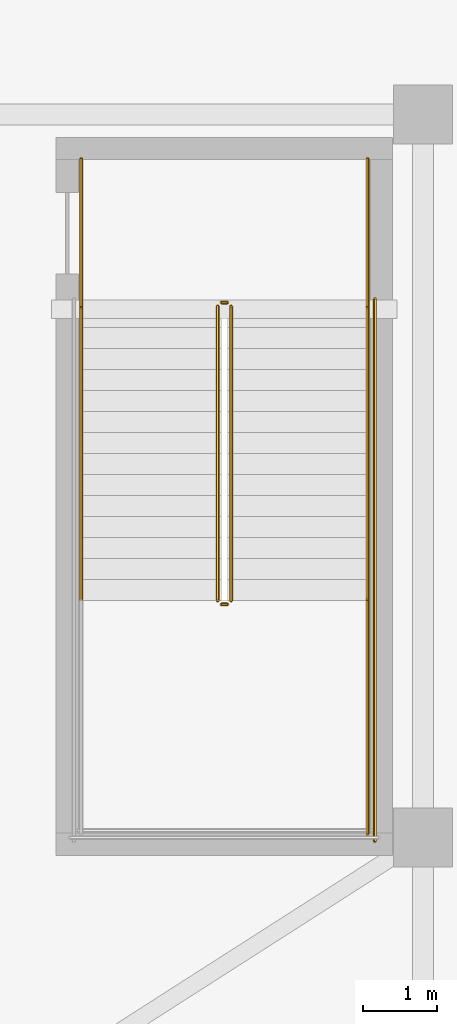
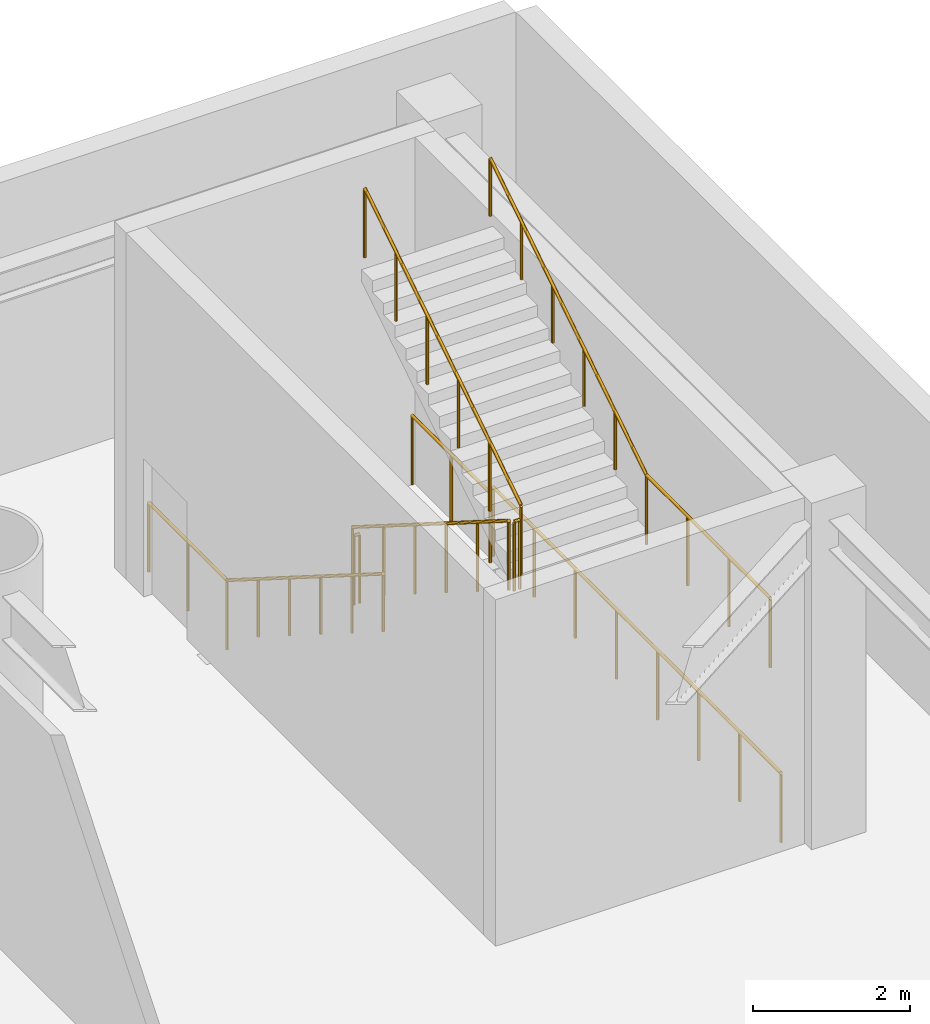
# One storey, part 16 of 16: 10 railings.
"""IFC4 building model written with IfcOpenShell, lengths in metres."""

from ifc_helpers import new_model, si_unit, direction, frame, origin, origin_2d, place, context, subcontext, project, spatial, circle, extrude, material, type_object, element, save


model = new_model("IFC4")

# Units and contexts
model_context = context("Model", 3, precision=1e-05, world=origin(), true_north=direction((0.0, 1.0)))
body_context = subcontext(model_context, "Body", "Model", "MODEL_VIEW")
ifc_project = project(units=[si_unit("LENGTHUNIT", "METRE"), si_unit("AREAUNIT", "SQUARE_METRE"), si_unit("VOLUMEUNIT", "CUBIC_METRE"), si_unit("PLANEANGLEUNIT", "RADIAN"), si_unit("MASSUNIT", "GRAM", prefix="KILO")], contexts=[model_context])

# Site, building, storey
site_placement = place(None, origin())
site = spatial("IfcSite", under=ifc_project, at=site_placement, CompositionType="ELEMENT")
building_placement = place(site_placement, origin())
building = spatial("IfcBuilding", under=site, at=building_placement, Name="Bramvorn Convention Spire", CompositionType="ELEMENT")
storey_placement = place(building_placement, frame((0.0, 0.0, 18.60009765625)))
storey = spatial("IfcBuildingStorey", under=building, at=storey_placement, Name="L03", CompositionType="ELEMENT", Elevation=18.60009765625)

# Railings
ifc_material_1 = material(Name="Painted Steel Balustrade & Guardrail", Category="steel")
railing_type_1 = type_object("IfcRailingType", Name="RL-STAIR-GUARD-1100", PredefinedType="GUARDRAIL", material=ifc_material_1)
railing_1_placement = place(storey_placement, frame((70.419921875, 46.800048828125, 0.179931640625)))
element("IfcRailing", 1, at=railing_1_placement, inside=storey, type_object=railing_type_1, Name="L03 ST5 stair guard 1", PredefinedType="GUARDRAIL", context=body_context, shape_type="SweptSolid", body=[
    extrude(circle(Radius=0.02392578125, at=origin_2d()), frame((0.0, 0.0, 1.076171875), z_axis=(0.0, -0.845486444383, 0.533996884227), x_axis=(1.0, 0.0, 0.0)), (0.0, 0.0, 1.0), 4.71923828125),
    extrude(circle(Radius=0.02099609375, at=origin_2d()), origin(), (0.0, 0.0, 1.0), 1.052001953125),
    extrude(circle(Radius=0.02099609375, at=origin_2d()), frame((0.0, -0.798095703125, 0.50390625)), (0.0, 0.0, 1.0), 1.052001953125),
    extrude(circle(Radius=0.02099609375, at=origin_2d()), frame((0.0, -1.595947265625, 1.008056640625)), (0.0, 0.0, 1.0), 1.052001953125),
    extrude(circle(Radius=0.02099609375, at=origin_2d()), frame((0.0, -2.39404296875, 1.511962890625)), (0.0, 0.0, 1.0), 1.052001953125),
    extrude(circle(Radius=0.02099609375, at=origin_2d()), frame((0.0, -3.19189453125, 2.01611328125)), (0.0, 0.0, 1.0), 1.052001953125),
    extrude(circle(Radius=0.02099609375, at=origin_2d()), frame((0.0, -3.989990234375, 2.52001953125)), (0.0, 0.0, 1.0), 1.052001953125),
])
railing_2_placement = place(storey_placement, frame((70.469970703125, 42.760009765625, 2.699951171875)))
element("IfcRailing", 2, at=railing_2_placement, inside=storey, type_object=railing_type_1, Name="L03 ST5 stair guard 2", PredefinedType="GUARDRAIL", context=body_context, shape_type="SweptSolid", body=[
    extrude(circle(Radius=0.02392578125, at=origin_2d()), frame((0.0, 0.0, 1.076171875), z_axis=(1.0, 0.0, 0.0), x_axis=(0.0, 1.0, 0.0)), (0.0, 0.0, 1.0), 0.080078125),
    extrude(circle(Radius=0.02099609375, at=origin_2d()), origin(), (0.0, 0.0, 1.0), 1.052001953125),
    extrude(circle(Radius=0.02099609375, at=origin_2d()), frame((0.080078125, 0.0, 0.0)), (0.0, 0.0, 1.0), 1.052001953125),
])
railing_3_placement = place(storey_placement, frame((72.449951171875, 42.81005859375, 2.699951171875)))
element("IfcRailing", 3, at=railing_3_placement, inside=storey, type_object=railing_type_1, Name="L03 ST5 stair guard 4", PredefinedType="GUARDRAIL", context=body_context, shape_type="SweptSolid", body=[
    extrude(circle(Radius=0.02392578125, at=origin_2d()), frame((0.0, 0.0, 1.076171875), z_axis=(0.0, -1.0, 0.0), x_axis=(1.0, 0.0, 0.0)), (0.0, 0.0, 1.0), 3.16015625),
    extrude(circle(Radius=0.02099609375, at=origin_2d()), origin(), (0.0, 0.0, 1.0), 1.052001953125),
    extrude(circle(Radius=0.02099609375, at=origin_2d()), frame((0.0, -1.053466796875, 0.0)), (0.0, 0.0, 1.0), 1.052001953125),
    extrude(circle(Radius=0.02099609375, at=origin_2d()), frame((0.0, -2.106689453125, 0.0)), (0.0, 0.0, 1.0), 1.052001953125),
    extrude(circle(Radius=0.02099609375, at=origin_2d()), frame((0.0, -3.16015625, 0.0)), (0.0, 0.0, 1.0), 1.052001953125),
])
railing_4_placement = place(storey_placement, frame((70.60009765625, 42.81005859375, 2.8798828125)))
element("IfcRailing", 4, at=railing_4_placement, inside=storey, type_object=railing_type_1, Name="L03 ST5 stair guard 6", PredefinedType="GUARDRAIL", context=body_context, shape_type="SweptSolid", body=[
    extrude(circle(Radius=0.02392578125, at=origin_2d()), frame((0.0, 0.0, 1.076171875), z_axis=(0.0, 0.845486444383, 0.533996884227), x_axis=(-1.0, 0.0, 0.0)), (0.0, 0.0, 1.0), 4.71923828125),
    extrude(circle(Radius=0.02099609375, at=origin_2d()), origin(), (0.0, 0.0, 1.0), 1.052001953125),
    extrude(circle(Radius=0.02099609375, at=origin_2d()), frame((0.0, 0.798095703125, 0.50390625)), (0.0, 0.0, 1.0), 1.052001953125),
    extrude(circle(Radius=0.02099609375, at=origin_2d()), frame((0.0, 1.595947265625, 1.008056640625)), (0.0, 0.0, 1.0), 1.052001953125),
    extrude(circle(Radius=0.02099609375, at=origin_2d()), frame((0.0, 2.39404296875, 1.511962890625)), (0.0, 0.0, 1.0), 1.052001953125),
    extrude(circle(Radius=0.02099609375, at=origin_2d()), frame((0.0, 3.19189453125, 2.01611328125)), (0.0, 0.0, 1.0), 1.052001953125),
    extrude(circle(Radius=0.02099609375, at=origin_2d()), frame((0.0, 3.989990234375, 2.52001953125)), (0.0, 0.0, 1.0), 1.052001953125),
])
railing_5_placement = place(storey_placement, frame((70.469970703125, 46.85009765625, 0.0)))
element("IfcRailing", 5, at=railing_5_placement, inside=storey, type_object=railing_type_1, Name="L03 ST5 stair guard 7", PredefinedType="GUARDRAIL", context=body_context, shape_type="SweptSolid", body=[
    extrude(circle(Radius=0.02392578125, at=origin_2d()), frame((0.0, 0.0, 1.076171875), z_axis=(1.0, 0.0, 0.0), x_axis=(0.0, 1.0, 0.0)), (0.0, 0.0, 1.0), 0.080078125),
    extrude(circle(Radius=0.02099609375, at=origin_2d()), origin(), (0.0, 0.0, 1.0), 1.052001953125),
    extrude(circle(Radius=0.02099609375, at=origin_2d()), frame((0.080078125, 0.0, 0.0)), (0.0, 0.0, 1.0), 1.052001953125),
])
for number, where, name in (
    (6, (68.570068359375, 48.800048828125, 0.0), "L03 ST5 stair guard 8"),
    (7, (72.449951171875, 48.800048828125, 0.0), "L03 ST5 stair guard 9"),
):
    element("IfcRailing", number, at=place(storey_placement, frame(where)), inside=storey, type_object=railing_type_1, Name=name, PredefinedType="GUARDRAIL", context=body_context, shape_type="SweptSolid", body=[
        extrude(circle(Radius=0.02392578125, at=origin_2d()), frame((0.0, 0.0, 1.076171875), z_axis=(0.0, -1.0, 0.0), x_axis=(1.0, 0.0, 0.0)), (0.0, 0.0, 1.0), 2.0),
        extrude(circle(Radius=0.02099609375, at=origin_2d()), origin(), (0.0, 0.0, 1.0), 1.052001953125),
        extrude(circle(Radius=0.02099609375, at=origin_2d()), frame((0.0, -1.0, 0.0)), (0.0, 0.0, 1.0), 1.052001953125),
        extrude(circle(Radius=0.02099609375, at=origin_2d()), frame((0.0, -2.0, 0.0)), (0.0, 0.0, 1.0), 1.052001953125),
    ])
railing_6_placement = place(storey_placement, frame((72.550048828125, 46.89990234375, 0.0)))
element("IfcRailing", 8, at=railing_6_placement, inside=storey, type_object=railing_type_1, Name="L03 ST5 stair guard 11", PredefinedType="GUARDRAIL", context=body_context, shape_type="SweptSolid", body=[
    extrude(circle(Radius=0.02392578125, at=origin_2d()), frame((0.0, 0.0, 1.076171875), z_axis=(0.0, -1.0, 0.0), x_axis=(1.0, 0.0, 0.0)), (0.0, 0.0, 1.0), 7.349853515625),
    extrude(circle(Radius=0.02099609375, at=origin_2d()), origin(), (0.0, 0.0, 1.0), 1.052001953125),
    extrude(circle(Radius=0.02099609375, at=origin_2d()), frame((0.0, -1.050048828125, 0.0)), (0.0, 0.0, 1.0), 1.052001953125),
    extrude(circle(Radius=0.02099609375, at=origin_2d()), frame((0.0, -2.099853515625, 0.0)), (0.0, 0.0, 1.0), 1.052001953125),
    extrude(circle(Radius=0.02099609375, at=origin_2d()), frame((0.0, -3.14990234375, 0.0)), (0.0, 0.0, 1.0), 1.052001953125),
    extrude(circle(Radius=0.02099609375, at=origin_2d()), frame((0.0, -4.199951171875, 0.0)), (0.0, 0.0, 1.0), 1.052001953125),
    extrude(circle(Radius=0.02099609375, at=origin_2d()), frame((0.0, -5.25, 0.0)), (0.0, 0.0, 1.0), 1.052001953125),
    extrude(circle(Radius=0.02099609375, at=origin_2d()), frame((0.0, -6.2998046875, 0.0)), (0.0, 0.0, 1.0), 1.052001953125),
    extrude(circle(Radius=0.02099609375, at=origin_2d()), frame((0.0, -7.349853515625, 0.0)), (0.0, 0.0, 1.0), 1.052001953125),
])
ifc_material_2 = material(Name="Brushed Bronze Tubular Handrail", Category="aluminium")
railing_type_2 = type_object("IfcRailingType", Name="RL-STAIR-HR-920", PredefinedType="HANDRAIL", material=ifc_material_2)
railing_7_placement = place(storey_placement, frame((68.570068359375, 46.800048828125, 0.179931640625)))
element("IfcRailing", 9, at=railing_7_placement, inside=storey, type_object=railing_type_2, Name="L03 ST5 stair handrail 1", PredefinedType="HANDRAIL", context=body_context, shape_type="SweptSolid", body=[
    extrude(circle(Radius=0.02392578125, at=origin_2d()), frame((0.0, 0.0, 0.89599609375), z_axis=(0.0, -0.845486444383, 0.533996884227), x_axis=(1.0, 0.0, 0.0)), (0.0, 0.0, 1.0), 4.71923828125),
    extrude(circle(Radius=0.02099609375, at=origin_2d()), origin(), (0.0, 0.0, 1.0), 0.871826171875),
    extrude(circle(Radius=0.02099609375, at=origin_2d()), frame((0.0, -0.798095703125, 0.50390625)), (0.0, 0.0, 1.0), 0.871826171875),
    extrude(circle(Radius=0.02099609375, at=origin_2d()), frame((0.0, -1.595947265625, 1.008056640625)), (0.0, 0.0, 1.0), 0.871826171875),
    extrude(circle(Radius=0.02099609375, at=origin_2d()), frame((0.0, -2.39404296875, 1.511962890625)), (0.0, 0.0, 1.0), 0.871826171875),
    extrude(circle(Radius=0.02099609375, at=origin_2d()), frame((0.0, -3.19189453125, 2.01611328125)), (0.0, 0.0, 1.0), 0.871826171875),
    extrude(circle(Radius=0.02099609375, at=origin_2d()), frame((0.0, -3.989990234375, 2.52001953125)), (0.0, 0.0, 1.0), 0.871826171875),
])
railing_8_placement = place(storey_placement, frame((72.449951171875, 42.81005859375, 2.8798828125)))
element("IfcRailing", 10, at=railing_8_placement, inside=storey, type_object=railing_type_2, Name="L03 ST5 stair handrail 2", PredefinedType="HANDRAIL", context=body_context, shape_type="SweptSolid", body=[
    extrude(circle(Radius=0.02392578125, at=origin_2d()), frame((0.0, 0.0, 0.89599609375), z_axis=(0.0, 0.845486444383, 0.533996884227), x_axis=(-1.0, 0.0, 0.0)), (0.0, 0.0, 1.0), 4.71923828125),
    extrude(circle(Radius=0.02099609375, at=origin_2d()), origin(), (0.0, 0.0, 1.0), 0.871826171875),
    extrude(circle(Radius=0.02099609375, at=origin_2d()), frame((0.0, 0.798095703125, 0.50390625)), (0.0, 0.0, 1.0), 0.871826171875),
    extrude(circle(Radius=0.02099609375, at=origin_2d()), frame((0.0, 1.595947265625, 1.008056640625)), (0.0, 0.0, 1.0), 0.871826171875),
    extrude(circle(Radius=0.02099609375, at=origin_2d()), frame((0.0, 2.39404296875, 1.511962890625)), (0.0, 0.0, 1.0), 0.871826171875),
    extrude(circle(Radius=0.02099609375, at=origin_2d()), frame((0.0, 3.19189453125, 2.01611328125)), (0.0, 0.0, 1.0), 0.871826171875),
    extrude(circle(Radius=0.02099609375, at=origin_2d()), frame((0.0, 3.989990234375, 2.52001953125)), (0.0, 0.0, 1.0), 0.871826171875),
])

save(model, "model.ifc")
